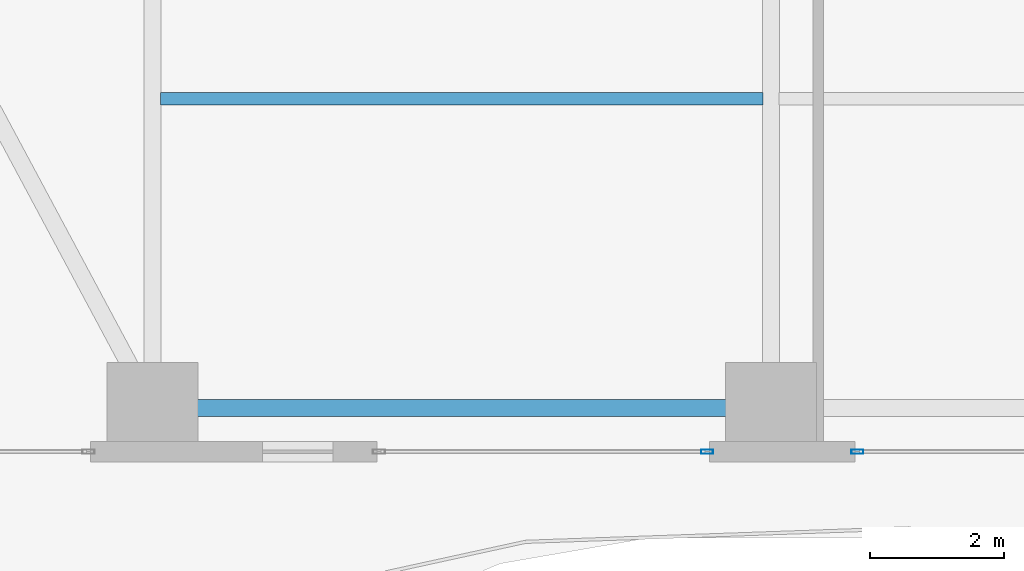
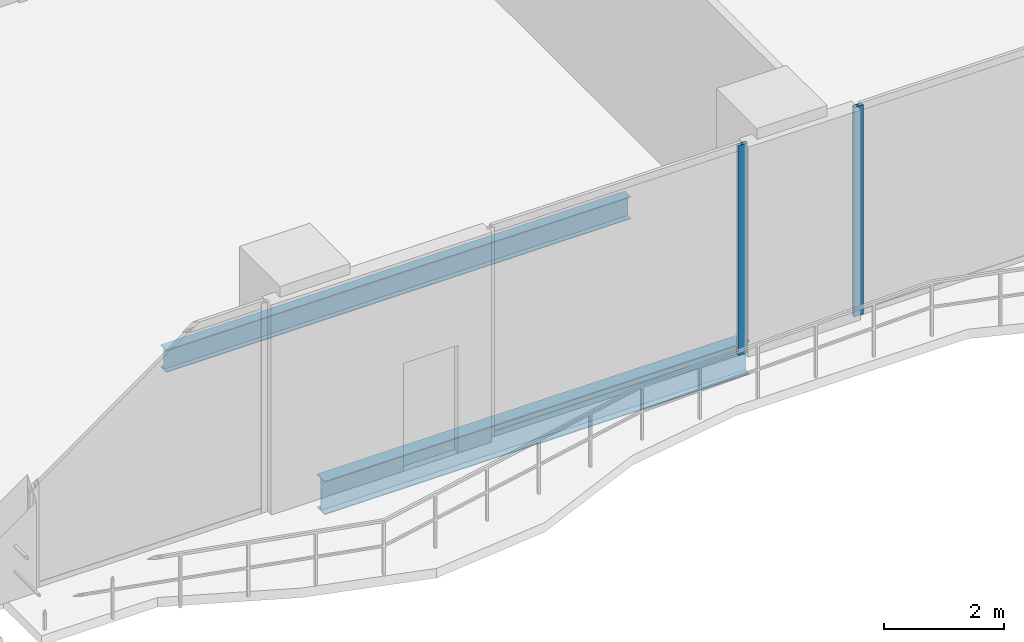
# One storey, part 5 of 33: 2 beams, 2 members, 2 elements without a shape of their own.
"""IFC4 building model written with IfcOpenShell, lengths in metres."""

from ifc_helpers import new_model, si_unit, direction, frame, origin, origin_2d, place, context, subcontext, project, spatial, hollow_rectangle, i_section, extrude, material, layer, layer_set, material_profile, profile_set, type_object, element, aggregate, save


model = new_model("IFC4")

# Units and contexts
model_context = context("Model", 3, precision=1e-05, world=origin(), true_north=direction((0.0, 1.0)))
body_context = subcontext(model_context, "Body", "Model", "MODEL_VIEW")
ifc_project = project(units=[si_unit("LENGTHUNIT", "METRE"), si_unit("AREAUNIT", "SQUARE_METRE"), si_unit("VOLUMEUNIT", "CUBIC_METRE"), si_unit("PLANEANGLEUNIT", "RADIAN"), si_unit("MASSUNIT", "GRAM", prefix="KILO")], contexts=[model_context])

# Site, building, storey
site_placement = place(None, origin())
site = spatial("IfcSite", under=ifc_project, at=site_placement, CompositionType="ELEMENT")
building_placement = place(site_placement, origin())
building = spatial("IfcBuilding", under=site, at=building_placement, Name="Zuhayl Quay Hotel", CompositionType="ELEMENT")
storey_placement = place(building_placement, frame((0.0, 0.0, 154.050048828125)))
storey = spatial("IfcBuildingStorey", under=building, at=storey_placement, Name="L39", CompositionType="ELEMENT", Elevation=154.050048828125)

# Beams
ifc_material_1 = material(Name="Steel ASTM A992 Grade 50", Category="steel")
ifc_material_profile_1 = material_profile(ifc_material_1, i_section(OverallWidth=0.25390625, OverallDepth=0.68310546875, WebThickness=0.012451171875, FlangeThickness=0.018798828125, at=origin_2d()), Name="W27X94")
ifc_profile_set_1 = profile_set([ifc_material_profile_1], Name="Steel ASTM A992 Grade 50")
beam_type_1 = type_object("IfcBeamType", Name="BM_B2_W27X94", PredefinedType="BEAM", material=ifc_profile_set_1)
beam_1_placement = place(storey_placement, frame((-13.300048828125, -14.75, -0.5615234375), z_axis=(1.0, 0.0, 0.0), x_axis=(0.0, 1.0, 0.0)))
element("IfcBeam", 1, at=beam_1_placement, inside=storey, type_object=beam_type_1, Name="L39 Floor Beam RG_L39_01", PredefinedType="BEAM", context=body_context, shape_type="SweptSolid", body=[
    extrude(i_section(OverallWidth=0.25390625, OverallDepth=0.68310546875, WebThickness=0.012451171875, FlangeThickness=0.018798828125, at=origin_2d()), origin(), (0.0, 0.0, 1.0), 8.199951171875),
])
ifc_material_profile_2 = material_profile(ifc_material_1, i_section(OverallWidth=0.18994140625, OverallDepth=0.45703125, WebThickness=0.009033203125, FlangeThickness=0.014404296875, at=origin_2d()), Name="W18X50")
ifc_profile_set_2 = profile_set([ifc_material_profile_2], Name="Steel ASTM A992 Grade 50")
beam_type_2 = type_object("IfcBeamType", Name="BM_J2_W18X50", PredefinedType="JOIST", material=ifc_profile_set_2)
beam_2_placement = place(storey_placement, frame((-13.680908203125, -10.14990234375, -0.448486328125), z_axis=(1.0, 0.0, 0.0), x_axis=(0.0, 1.0, 0.0)))
element("IfcBeam", 2, at=beam_2_placement, inside=storey, type_object=beam_type_2, Name="L39 Floor Beam FJ_L39_5_1", PredefinedType="JOIST", context=body_context, shape_type="SweptSolid", body=[
    extrude(i_section(OverallWidth=0.18994140625, OverallDepth=0.45703125, WebThickness=0.009033203125, FlangeThickness=0.014404296875, at=origin_2d()), origin(), (0.0, 0.0, 1.0), 8.9619140625),
])

# Curtain wall, member
ifc_material_2 = material(Name="Anodised Aluminium 6063-T6", Category="aluminium")
ifc_layer = layer(ifc_material_2, 0.179931640625, Name="Anodised Aluminium 6063-T6", Category="aluminium")
ifc_layer_set = layer_set([ifc_layer], Name="Anodised Aluminium 6063-T6")
curtain_wall_type = type_object("IfcCurtainWallType", Name="CW_SYS_Z2", PredefinedType="USERDEFINED", material=ifc_layer_set)
curtain_wall_1_placement = place(storey_placement, origin())
curtain_wall_1 = element("IfcCurtainWall", 3, at=curtain_wall_1_placement, inside=storey, type_object=curtain_wall_type, Name="L39 Curtain Wall ENV_L39_S_CW3", ObjectType="UNITISED CURTAIN WALL", PredefinedType="USERDEFINED")
ifc_material_3 = material(Name="Black-anodised aluminium 6063-T6", Category="aluminium")
ifc_material_profile_3 = material_profile(ifc_material_3, hollow_rectangle(XDim=0.06494140625, YDim=0.179931640625, WallThickness=0.00341796875, at=origin_2d()), Name="ALU180X65")
ifc_profile_set_3 = profile_set([ifc_material_profile_3], Name="Black-anodised aluminium 6063-T6")
member_type = type_object("IfcMemberType", Name="MB_CW_MUL_180", PredefinedType="MULLION", material=ifc_profile_set_3)
member_1_placement = place(storey_placement, frame((-3.3173828125, -15.39990234375, 0.0), z_axis=(0.0, 0.0, 1.0), x_axis=(0.0, -1.0, 0.0)))
member_1 = element("IfcMember", 4, at=member_1_placement, type_object=member_type, Name="CW-Z2 mullion 2", PredefinedType="MULLION", context=body_context, shape_type="SweptSolid", body=[
    extrude(hollow_rectangle(XDim=0.06494140625, YDim=0.179931640625, WallThickness=0.00341796875, at=origin_2d()), origin(), (0.0, 0.0, 1.0), 4.280029296875),
])
aggregate(curtain_wall_1, [member_1])

curtain_wall_2_placement = place(storey_placement, origin())
curtain_wall_2 = element("IfcCurtainWall", 5, at=curtain_wall_2_placement, inside=storey, type_object=curtain_wall_type, Name="L39 Curtain Wall ENV_L39_S_CW4", ObjectType="UNITISED CURTAIN WALL", PredefinedType="USERDEFINED")
member_2_placement = place(storey_placement, frame((-5.552490234375, -15.39990234375, 0.0), z_axis=(0.0, 0.0, 1.0), x_axis=(0.0, -1.0, 0.0)))
member_2 = element("IfcMember", 6, at=member_2_placement, type_object=member_type, Name="CW-Z2 mullion 1", PredefinedType="MULLION", context=body_context, shape_type="SweptSolid", body=[
    extrude(hollow_rectangle(XDim=0.06494140625, YDim=0.179931640625, WallThickness=0.00341796875, at=origin_2d()), origin(), (0.0, 0.0, 1.0), 4.280029296875),
])
aggregate(curtain_wall_2, [member_2])

save(model, "model.ifc")
